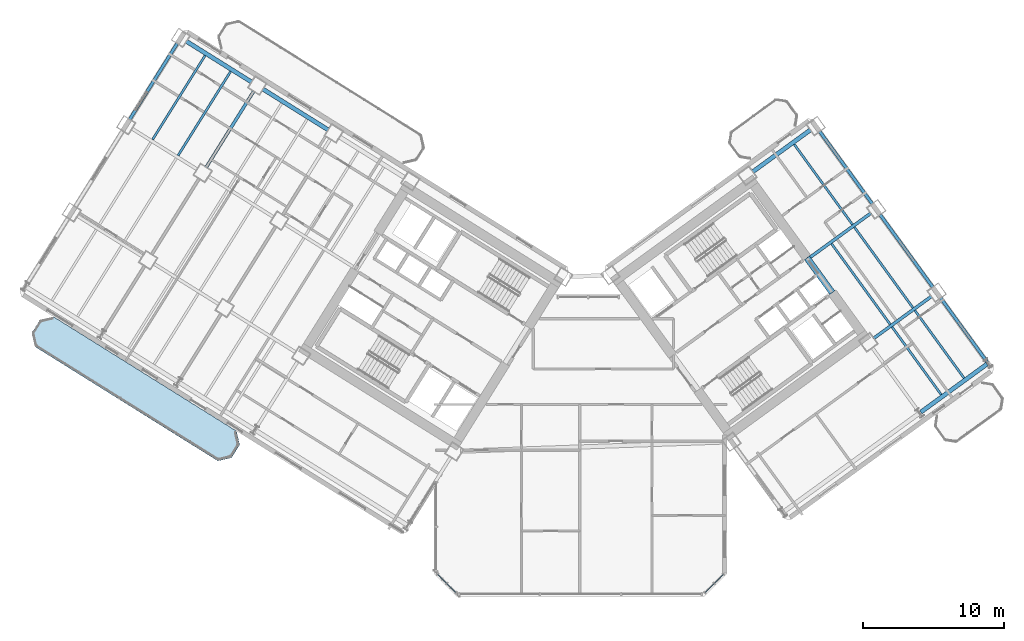
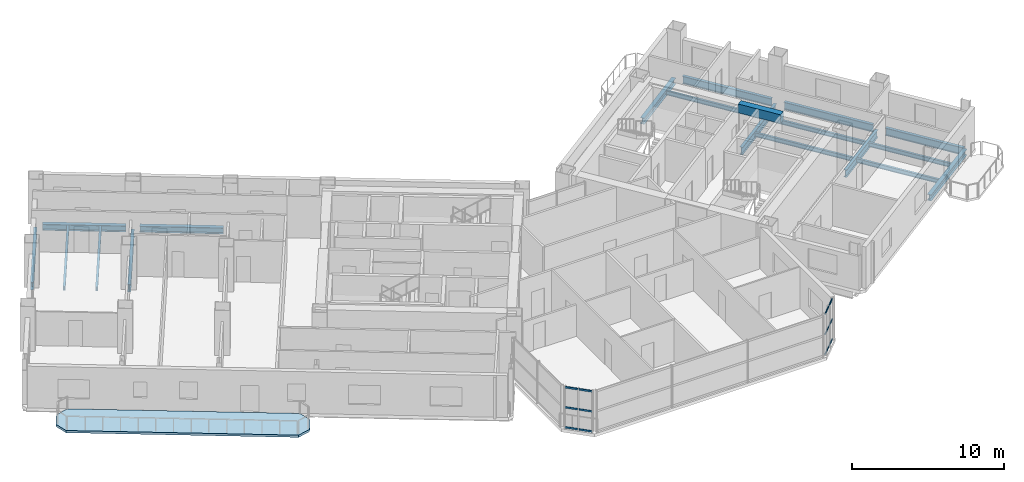
# One storey, part 12 of 24: 19 beams, 12 members, 1 slab, 2 elements without a shape of their own.
"""IFC4 building model written with IfcOpenShell, lengths in metres."""

from ifc_helpers import new_model, si_unit, direction, frame, origin, origin_2d, place, context, subcontext, project, spatial, polyline, rectangle, hollow_rectangle, i_section, outline, extrude, source, transform, mapped, material, layer, layer_set, material_profile, profile_set, type_object, element, aggregate, save


model = new_model("IFC4")

# Units and contexts
model_context = context("Model", 3, precision=1e-05, world=origin(), true_north=direction((0.0, 1.0)))
body_context = subcontext(model_context, "Body", "Model", "MODEL_VIEW")
ifc_project = project(units=[si_unit("LENGTHUNIT", "METRE"), si_unit("AREAUNIT", "SQUARE_METRE"), si_unit("VOLUMEUNIT", "CUBIC_METRE"), si_unit("PLANEANGLEUNIT", "RADIAN"), si_unit("MASSUNIT", "GRAM", prefix="KILO")], contexts=[model_context])

# Site, building, storey
site_placement = place(None, origin())
site = spatial("IfcSite", under=ifc_project, at=site_placement, CompositionType="ELEMENT")
building_placement = place(site_placement, origin())
building = spatial("IfcBuilding", under=site, at=building_placement, Name="Tlacorven Tower", CompositionType="ELEMENT")
storey_placement = place(building_placement, frame((0.0, 0.0, 38.39990234375)))
storey = spatial("IfcBuildingStorey", under=building, at=storey_placement, Name="L09", CompositionType="ELEMENT", Elevation=38.39990234375)

# Beams
ifc_material_1 = material(Name="Concrete C60/75", Category="concrete")
ifc_material_profile_1 = material_profile(ifc_material_1, rectangle(XDim=0.449951171875, YDim=0.699951171875, at=origin_2d()), Name="RC 450X700")
ifc_profile_set_1 = profile_set([ifc_material_profile_1], Name="Concrete C60/75")
beam_type_1 = type_object("IfcBeamType", Name="BM-LNT-700", PredefinedType="LINTEL", material=ifc_profile_set_1)
shared_shape_1 = source(origin(), body_context, "Body", "SweptSolid", [
    extrude(rectangle(XDim=0.449951171875, YDim=0.699951171875, at=origin_2d()), origin(), (0.0, 0.0, 1.0), 3.050048828125),
])
beam_1_placement = place(storey_placement, frame((59.856689453125, 23.345947265625, 3.0), z_axis=(-0.587776590479, 0.80902328748, 0.0), x_axis=(-0.80902328748, -0.587776590479, 0.0)))
element("IfcBeam", 1, at=beam_1_placement, inside=storey, type_object=beam_type_1, Name="L09 E core coupling lintel beam E2", PredefinedType="LINTEL", context=body_context, shape_type="MappedRepresentation", body=[
    mapped(shared_shape_1, transform((0.0, 0.0, 0.0), scale=1.0)),
])
ifc_material_2 = material(Name="Steel S355J2", Category="steel")
ifc_material_profile_2 = material_profile(ifc_material_2, i_section(OverallWidth=0.300048828125, OverallDepth=0.489990234375, WebThickness=0.011962890625, FlangeThickness=0.02294921875, at=origin_2d()), Name="HEA 500")
ifc_profile_set_2 = profile_set([ifc_material_profile_2], Name="Steel S355J2")
beam_type_2 = type_object("IfcBeamType", Name="BM-SPN-500", PredefinedType="SPANDREL", material=ifc_profile_set_2)
shared_shape_2 = source(origin(), body_context, "Body", "SweptSolid", [
    extrude(i_section(OverallWidth=0.300048828125, OverallDepth=0.489990234375, WebThickness=0.011962890625, FlangeThickness=0.02294921875, at=origin_2d()), origin(), (0.0, 0.0, 1.0), 5.5),
])
for number, where, z_axis, x_axis, name in (
    (2, (24.118896484375, 34.88134765625, -0.494873046875), (-0.848050668838, 0.52991514706, 0.0), (-0.52991514706, -0.848050668838, 0.0), "L09 beam BM-L09-WL1-4"),
    (3, (18.69140625, 38.272705078125, -0.494873046875), (-0.848050668838, 0.52991514706, 0.0), (-0.52991514706, -0.848050668838, 0.0), "L09 beam BM-L09-WL1-5"),
):
    element("IfcBeam", number, at=place(storey_placement, frame(where, z_axis=z_axis, x_axis=x_axis)), inside=storey, type_object=beam_type_2, Name=name, PredefinedType="SPANDREL", context=body_context, shape_type="MappedRepresentation", body=[
        mapped(shared_shape_2, transform((0.0, 0.0, 0.0), scale=1.0)),
    ])
ifc_material_profile_3 = material_profile(ifc_material_2, i_section(OverallWidth=0.219970703125, OverallDepth=0.60009765625, WebThickness=0.011962890625, FlangeThickness=0.01904296875, at=origin_2d()), Name="IPE 600")
ifc_profile_set_3 = profile_set([ifc_material_profile_3], Name="Steel S355J2")
beam_type_3 = type_object("IfcBeamType", Name="BM-TWR-600", PredefinedType="BEAM", material=ifc_profile_set_3)
shared_shape_3 = source(origin(), body_context, "Body", "SweptSolid", [
    extrude(i_section(OverallWidth=0.219970703125, OverallDepth=0.60009765625, WebThickness=0.011962890625, FlangeThickness=0.01904296875, at=origin_2d()), origin(), (0.0, 0.0, 1.0), 5.650146484375),
])
beam_2_placement = place(storey_placement, frame((70.853271484375, 18.41845703125, -0.5498046875), z_axis=(-0.587783675561, 0.809018139935, 0.0), x_axis=(-0.809018139935, -0.587783675561, 0.0)))
element("IfcBeam", 4, at=beam_2_placement, inside=storey, type_object=beam_type_3, Name="L09 beam BM-L09-ET4-1", PredefinedType="BEAM", context=body_context, shape_type="MappedRepresentation", body=[
    mapped(shared_shape_3, transform((0.0, 0.0, 0.0), scale=1.0)),
])
shared_shape_4 = source(origin(), body_context, "Body", "SweptSolid", [
    extrude(i_section(OverallWidth=0.219970703125, OverallDepth=0.60009765625, WebThickness=0.011962890625, FlangeThickness=0.01904296875, at=origin_2d()), origin(), (0.0, 0.0, 1.0), 6.39990234375),
])
for number, where, z_axis, x_axis, name in (
    (5, (67.003173828125, 23.717529296875, -0.5498046875), (-0.587772420479, 0.809026317077, 0.0), (-0.809026317077, -0.587772420479, 0.0), "L09 beam BM-L09-ET4-2"),
    (6, (62.71240234375, 29.62353515625, -0.5498046875), (-0.587815528162, 0.808994996803, 0.0), (-0.808994996803, -0.587815528162, 0.0), "L09 beam BM-L09-ET4-3"),
):
    element("IfcBeam", number, at=place(storey_placement, frame(where, z_axis=z_axis, x_axis=x_axis)), inside=storey, type_object=beam_type_3, Name=name, PredefinedType="BEAM", context=body_context, shape_type="MappedRepresentation", body=[
        mapped(shared_shape_4, transform((0.0, 0.0, 0.0), scale=1.0)),
    ])
shared_shape_5 = source(origin(), body_context, "Body", "SweptSolid", [
    extrude(i_section(OverallWidth=0.219970703125, OverallDepth=0.60009765625, WebThickness=0.011962890625, FlangeThickness=0.01904296875, at=origin_2d()), origin(), (0.0, 0.0, 1.0), 6.400146484375),
])
for number, where, z_axis, x_axis, name in (
    (7, (18.83447265625, 37.652587890625, -0.5498046875), (-0.529933789039, -0.848039019877, 0.0), (0.848039019877, -0.529933789039, 0.0), "L09 beam BM-L09-WT5-1"),
    (8, (13.406982421875, 41.044189453125, -0.5498046875), (-0.529933789039, -0.848039019877, 0.0), (0.848039019877, -0.529933789039, 0.0), "L09 beam BM-L09-WT6-1"),
):
    element("IfcBeam", number, at=place(storey_placement, frame(where, z_axis=z_axis, x_axis=x_axis)), inside=storey, type_object=beam_type_3, Name=name, PredefinedType="BEAM", context=body_context, shape_type="MappedRepresentation", body=[
        mapped(shared_shape_5, transform((0.0, 0.0, 0.0), scale=1.0)),
    ])
ifc_material_profile_4 = material_profile(ifc_material_2, i_section(OverallWidth=0.159912109375, OverallDepth=0.330078125, WebThickness=0.007568359375, FlangeThickness=0.011474609375, at=origin_2d()), Name="IPE 330")
ifc_profile_set_4 = profile_set([ifc_material_profile_4], Name="Steel S355J2")
beam_type_4 = type_object("IfcBeamType", Name="BM-JST-330", PredefinedType="JOIST", material=ifc_profile_set_4)
shared_shape_6 = source(origin(), body_context, "Body", "SweptSolid", [
    extrude(i_section(OverallWidth=0.159912109375, OverallDepth=0.330078125, WebThickness=0.007568359375, FlangeThickness=0.011474609375, at=origin_2d()), origin(), (0.0, 0.0, 1.0), 7.030029296875),
])
for number, where, z_axis, x_axis, name in (
    (9, (17.181640625, 39.033447265625, -0.414794921875), (-0.529911532383, -0.848052927504, 0.0), (0.848052927504, -0.529911532383, 0.0), "L09 beam BM-L09-WJ5-1-1"),
    (10, (15.372314453125, 40.163818359375, -0.414794921875), (-0.529927139185, -0.84804317529, 0.0), (0.84804317529, -0.529927139185, 0.0), "L09 beam BM-L09-WJ5-1-2"),
    (11, (61.291259765625, 28.1767578125, -0.414794921875), (-0.587773097846, 0.809025824958, 0.0), (-0.809025824958, -0.587773097846, 0.0), "L09 beam BM-L09-EJ3-3-2"),
):
    element("IfcBeam", number, at=place(storey_placement, frame(where, z_axis=z_axis, x_axis=x_axis)), inside=storey, type_object=beam_type_4, Name=name, PredefinedType="JOIST", context=body_context, shape_type="MappedRepresentation", body=[
        mapped(shared_shape_6, transform((0.0, 0.0, 0.0), scale=1.0)),
    ])
shared_shape_7 = source(origin(), body_context, "Body", "SweptSolid", [
    extrude(i_section(OverallWidth=0.159912109375, OverallDepth=0.330078125, WebThickness=0.007568359375, FlangeThickness=0.011474609375, at=origin_2d()), origin(), (0.0, 0.0, 1.0), 5.93017578125),
])
for number, where, z_axis, x_axis, name in (
    (12, (67.584716796875, 16.11181640625, -0.414794921875), (-0.587777512947, 0.809022617282, 0.0), (-0.809022617282, -0.587777512947, 0.0), "L09 beam BM-L09-EJ3-1-1"),
    (13, (69.202880859375, 17.287353515625, -0.414794921875), (-0.587777512947, 0.809022617282, 0.0), (-0.809022617282, -0.587777512947, 0.0), "L09 beam BM-L09-EJ3-1-2"),
):
    element("IfcBeam", number, at=place(storey_placement, frame(where, z_axis=z_axis, x_axis=x_axis)), inside=storey, type_object=beam_type_4, Name=name, PredefinedType="JOIST", context=body_context, shape_type="MappedRepresentation", body=[
        mapped(shared_shape_7, transform((0.0, 0.0, 0.0), scale=1.0)),
    ])
shared_shape_8 = source(origin(), body_context, "Body", "SweptSolid", [
    extrude(i_section(OverallWidth=0.159912109375, OverallDepth=0.330078125, WebThickness=0.007568359375, FlangeThickness=0.011474609375, at=origin_2d()), origin(), (0.0, 0.0, 1.0), 7.070068359375),
])
beam_3_placement = place(storey_placement, frame((63.964111328125, 21.095458984375, -0.414794921875), z_axis=(-0.587797946309, 0.80900777148, 0.0), x_axis=(-0.80900777148, -0.587797946309, 0.0)))
element("IfcBeam", 14, at=beam_3_placement, inside=storey, type_object=beam_type_4, Name="L09 beam BM-L09-EJ3-2-1", PredefinedType="JOIST", context=body_context, shape_type="MappedRepresentation", body=[
    mapped(shared_shape_8, transform((0.0, 0.0, 0.0), scale=1.0)),
])
shared_shape_9 = source(origin(), body_context, "Body", "SweptSolid", [
    extrude(i_section(OverallWidth=0.159912109375, OverallDepth=0.330078125, WebThickness=0.007568359375, FlangeThickness=0.011474609375, at=origin_2d()), origin(), (0.0, 0.0, 1.0), 7.06982421875),
])
beam_4_placement = place(storey_placement, frame((65.58203125, 22.27099609375, -0.414794921875), z_axis=(-0.58777534487, 0.809024192446, 0.0), x_axis=(-0.809024192446, -0.58777534487, 0.0)))
element("IfcBeam", 15, at=beam_4_placement, inside=storey, type_object=beam_type_4, Name="L09 beam BM-L09-EJ3-2-2", PredefinedType="JOIST", context=body_context, shape_type="MappedRepresentation", body=[
    mapped(shared_shape_9, transform((0.0, 0.0, 0.0), scale=1.0)),
])
shared_shape_10 = source(origin(), body_context, "Body", "SweptSolid", [
    extrude(i_section(OverallWidth=0.300048828125, OverallDepth=0.489990234375, WebThickness=0.011962890625, FlangeThickness=0.02294921875, at=origin_2d()), origin(), (0.0, 0.0, 1.0), 5.800048828125),
])
beam_5_placement = place(storey_placement, frame((66.138671875, 14.86962890625, -0.494873046875), z_axis=(0.809019944521, 0.587781191743, 0.0), x_axis=(-0.587781191743, 0.809019944521, 0.0)))
element("IfcBeam", 16, at=beam_5_placement, inside=storey, type_object=beam_type_2, Name="L09 beam BM-L09-EL1-3", PredefinedType="SPANDREL", context=body_context, shape_type="MappedRepresentation", body=[
    mapped(shared_shape_10, transform((0.0, 0.0, 0.0), scale=1.0)),
])
shared_shape_11 = source(origin(), body_context, "Body", "SweptSolid", [
    extrude(i_section(OverallWidth=0.219970703125, OverallDepth=0.60009765625, WebThickness=0.011962890625, FlangeThickness=0.01904296875, at=origin_2d()), origin(), (0.0, 0.0, 1.0), 5.10009765625),
])
beam_6_placement = place(storey_placement, frame((62.777587890625, 20.09130859375, -0.5498046875), z_axis=(0.809007176828, 0.58779876475, 0.0), x_axis=(-0.58779876475, 0.809007176828, 0.0)))
element("IfcBeam", 17, at=beam_6_placement, inside=storey, type_object=beam_type_3, Name="L09 beam BM-L09-EL2-3", PredefinedType="BEAM", context=body_context, shape_type="MappedRepresentation", body=[
    mapped(shared_shape_11, transform((0.0, 0.0, 0.0), scale=1.0)),
])
shared_shape_12 = source(origin(), body_context, "Body", "SweptSolid", [
    extrude(i_section(OverallWidth=0.219970703125, OverallDepth=0.60009765625, WebThickness=0.011962890625, FlangeThickness=0.01904296875, at=origin_2d()), origin(), (0.0, 0.0, 1.0), 5.510009765625),
])
beam_7_placement = place(storey_placement, frame((58.155029296875, 25.756103515625, -0.5498046875), z_axis=(0.809015730594, 0.587786991734, 0.0), x_axis=(-0.587786991734, 0.809015730594, 0.0)))
element("IfcBeam", 18, at=beam_7_placement, inside=storey, type_object=beam_type_3, Name="L09 beam BM-L09-EL3-3", PredefinedType="BEAM", context=body_context, shape_type="MappedRepresentation", body=[
    mapped(shared_shape_12, transform((0.0, 0.0, 0.0), scale=1.0)),
])
shared_shape_13 = source(origin(), body_context, "Body", "SweptSolid", [
    extrude(i_section(OverallWidth=0.300048828125, OverallDepth=0.489990234375, WebThickness=0.011962890625, FlangeThickness=0.02294921875, at=origin_2d()), origin(), (0.0, 0.0, 1.0), 5.099853515625),
])
beam_8_placement = place(storey_placement, frame((54.196044921875, 31.903076171875, -0.494873046875), z_axis=(0.809029940764, 0.587767432704, 0.0), x_axis=(-0.587767432704, 0.809029940764, 0.0)))
element("IfcBeam", 19, at=beam_8_placement, inside=storey, type_object=beam_type_2, Name="L09 beam BM-L09-EL4-3", PredefinedType="SPANDREL", context=body_context, shape_type="MappedRepresentation", body=[
    mapped(shared_shape_13, transform((0.0, 0.0, 0.0), scale=1.0)),
])

# Curtain wall, members
ifc_material_3 = material(Name="Dark solar low-E double glazing in aluminium frame", Category="aluminium")
curtain_wall_type = type_object("IfcCurtainWallType", Name="CW-TWR-LOW", PredefinedType="USERDEFINED", material=ifc_material_3)
curtain_wall_1_placement = place(storey_placement, origin())
curtain_wall_1 = element("IfcCurtainWall", 20, at=curtain_wall_1_placement, inside=storey, type_object=curtain_wall_type, Name="L09 CW-TWR-LOW Curtain Wall 45", ObjectType="UNITISED CURTAIN WALL", PredefinedType="USERDEFINED")
ifc_material_4 = material(Name="Aluminium 6063-T6 anodised", Category="aluminium")
ifc_material_profile_5 = material_profile(ifc_material_4, hollow_rectangle(XDim=0.06005859375, YDim=0.139892578125, WallThickness=0.00390625, at=origin_2d()), Name="ALU TRANSOM 60X140")
ifc_profile_set_5 = profile_set([ifc_material_profile_5], Name="Aluminium 6063-T6 anodised")
member_type = type_object("IfcMemberType", Name="CWT-02", PredefinedType="USERDEFINED", material=ifc_profile_set_5)
shared_shape_14 = source(origin(), body_context, "Body", "SweptSolid", [
    extrude(hollow_rectangle(XDim=0.06005859375, YDim=0.139892578125, WallThickness=0.00390625, at=origin_2d()), origin(), (0.0, 0.0, 1.0), 0.8837890625),
])
member_1_placement = place(storey_placement, frame((52.128173828125, 3.3544921875, 0.070068359375), z_axis=(-0.707106781187, -0.707106781187, 0.0), x_axis=(0.707106781187, -0.707106781187, 0.0)))
member_1 = element("IfcMember", 21, at=member_1_placement, type_object=member_type, Name="CW-L09-045 Transom 1", ObjectType="TRANSOM", PredefinedType="USERDEFINED", context=body_context, shape_type="MappedRepresentation", body=[
    mapped(shared_shape_14, transform((0.0, 0.0, 0.0), scale=1.0)),
])
member_2_placement = place(storey_placement, frame((52.128173828125, 3.3544921875, 1.675048828125), z_axis=(-0.707106781187, -0.707106781187, 0.0), x_axis=(0.707106781187, -0.707106781187, 0.0)))
member_2 = element("IfcMember", 22, at=member_2_placement, type_object=member_type, Name="CW-L09-045 Transom 2", ObjectType="TRANSOM", PredefinedType="USERDEFINED", context=body_context, shape_type="MappedRepresentation", body=[
    mapped(shared_shape_14, transform((0.0, 0.0, 0.0), scale=1.0)),
])
member_3_placement = place(storey_placement, frame((52.128173828125, 3.3544921875, 3.280029296875), z_axis=(-0.707106781187, -0.707106781187, 0.0), x_axis=(0.707106781187, -0.707106781187, 0.0)))
member_3 = element("IfcMember", 23, at=member_3_placement, type_object=member_type, Name="CW-L09-045 Transom 3", ObjectType="TRANSOM", PredefinedType="USERDEFINED", context=body_context, shape_type="MappedRepresentation", body=[
    mapped(shared_shape_14, transform((0.0, 0.0, 0.0), scale=1.0)),
])

curtain_wall_2_placement = place(storey_placement, origin())
curtain_wall_2 = element("IfcCurtainWall", 24, at=curtain_wall_2_placement, inside=storey, type_object=curtain_wall_type, Name="L09 CW-TWR-LOW Curtain Wall 47", ObjectType="UNITISED CURTAIN WALL", PredefinedType="USERDEFINED")
member_4_placement = place(storey_placement, frame((32.496826171875, 2.7294921875, 0.070068359375), z_axis=(-0.707106781187, 0.707106781187, 0.0), x_axis=(-0.707106781187, -0.707106781187, 0.0)))
member_4 = element("IfcMember", 25, at=member_4_placement, type_object=member_type, Name="CW-L09-047 Transom 4", ObjectType="TRANSOM", PredefinedType="USERDEFINED", context=body_context, shape_type="MappedRepresentation", body=[
    mapped(shared_shape_14, transform((0.0, 0.0, 0.0), scale=1.0)),
])
member_5_placement = place(storey_placement, frame((32.496826171875, 2.7294921875, 1.675048828125), z_axis=(-0.707106781187, 0.707106781187, 0.0), x_axis=(-0.707106781187, -0.707106781187, 0.0)))
member_5 = element("IfcMember", 26, at=member_5_placement, type_object=member_type, Name="CW-L09-047 Transom 5", ObjectType="TRANSOM", PredefinedType="USERDEFINED", context=body_context, shape_type="MappedRepresentation", body=[
    mapped(shared_shape_14, transform((0.0, 0.0, 0.0), scale=1.0)),
])
member_6_placement = place(storey_placement, frame((32.496826171875, 2.7294921875, 3.280029296875), z_axis=(-0.707106781187, 0.707106781187, 0.0), x_axis=(-0.707106781187, -0.707106781187, 0.0)))
member_6 = element("IfcMember", 27, at=member_6_placement, type_object=member_type, Name="CW-L09-047 Transom 6", ObjectType="TRANSOM", PredefinedType="USERDEFINED", context=body_context, shape_type="MappedRepresentation", body=[
    mapped(shared_shape_14, transform((0.0, 0.0, 0.0), scale=1.0)),
])

# Member
shared_shape_15 = source(origin(), body_context, "Body", "SweptSolid", [
    extrude(hollow_rectangle(XDim=0.06005859375, YDim=0.139892578125, WallThickness=0.00390625, at=origin_2d()), origin(), (0.0, 0.0, 1.0), 0.884033203125),
])
member_7_placement = place(storey_placement, frame((51.470703125, 2.69677734375, 0.070068359375), z_axis=(-0.707244847527, -0.706968687883, 0.0), x_axis=(0.706968687883, -0.707244847527, 0.0)))
member_7 = element("IfcMember", 28, at=member_7_placement, type_object=member_type, Name="CW-L09-045 Transom 4", ObjectType="TRANSOM", PredefinedType="USERDEFINED", context=body_context, shape_type="MappedRepresentation", body=[
    mapped(shared_shape_15, transform((0.0, 0.0, 0.0), scale=1.0)),
])

member_8_placement = place(storey_placement, frame((51.470703125, 2.69677734375, 1.675048828125), z_axis=(-0.707244847527, -0.706968687883, 0.0), x_axis=(0.706968687883, -0.707244847527, 0.0)))
member_8 = element("IfcMember", 29, at=member_8_placement, type_object=member_type, Name="CW-L09-045 Transom 5", ObjectType="TRANSOM", PredefinedType="USERDEFINED", context=body_context, shape_type="MappedRepresentation", body=[
    mapped(shared_shape_15, transform((0.0, 0.0, 0.0), scale=1.0)),
])

member_9_placement = place(storey_placement, frame((51.470703125, 2.69677734375, 3.280029296875), z_axis=(-0.707244847527, -0.706968687883, 0.0), x_axis=(0.706968687883, -0.707244847527, 0.0)))
member_9 = element("IfcMember", 30, at=member_9_placement, type_object=member_type, Name="CW-L09-045 Transom 6", ObjectType="TRANSOM", PredefinedType="USERDEFINED", context=body_context, shape_type="MappedRepresentation", body=[
    mapped(shared_shape_15, transform((0.0, 0.0, 0.0), scale=1.0)),
])

aggregate(curtain_wall_1, [member_1, member_2, member_3, member_7, member_8, member_9])

member_10_placement = place(storey_placement, frame((33.154541015625, 2.07177734375, 0.070068359375), z_axis=(-0.707244847527, 0.706968687883, 0.0), x_axis=(-0.706968687883, -0.707244847527, 0.0)))
member_10 = element("IfcMember", 31, at=member_10_placement, type_object=member_type, Name="CW-L09-047 Transom 1", ObjectType="TRANSOM", PredefinedType="USERDEFINED", context=body_context, shape_type="MappedRepresentation", body=[
    mapped(shared_shape_15, transform((0.0, 0.0, 0.0), scale=1.0)),
])

member_11_placement = place(storey_placement, frame((33.154541015625, 2.07177734375, 1.675048828125), z_axis=(-0.707244847527, 0.706968687883, 0.0), x_axis=(-0.706968687883, -0.707244847527, 0.0)))
member_11 = element("IfcMember", 32, at=member_11_placement, type_object=member_type, Name="CW-L09-047 Transom 2", ObjectType="TRANSOM", PredefinedType="USERDEFINED", context=body_context, shape_type="MappedRepresentation", body=[
    mapped(shared_shape_15, transform((0.0, 0.0, 0.0), scale=1.0)),
])

member_12_placement = place(storey_placement, frame((33.154541015625, 2.07177734375, 3.280029296875), z_axis=(-0.707244847527, 0.706968687883, 0.0), x_axis=(-0.706968687883, -0.707244847527, 0.0)))
member_12 = element("IfcMember", 33, at=member_12_placement, type_object=member_type, Name="CW-L09-047 Transom 3", ObjectType="TRANSOM", PredefinedType="USERDEFINED", context=body_context, shape_type="MappedRepresentation", body=[
    mapped(shared_shape_15, transform((0.0, 0.0, 0.0), scale=1.0)),
])

aggregate(curtain_wall_2, [member_10, member_11, member_12, member_4, member_5, member_6])

# Slab
ifc_material_5 = material(Name="Precast concrete C45/55", Category="concrete")
ifc_layer = layer(ifc_material_5, 0.179931640625)
ifc_layer_set = layer_set([ifc_layer], Name="Precast concrete C45/55")
slab_type = type_object("IfcSlabType", Name="SL-BAL-180", PredefinedType="USERDEFINED", material=ifc_layer_set)
slab_placement = place(storey_placement, frame((0.0, 0.0, -0.179931640625)))
element("IfcSlab", 34, at=slab_placement, inside=storey, type_object=slab_type, Name="L09 West Wing Balcony Ribbon OUT", ObjectType="BALCONY SLAB", PredefinedType="USERDEFINED", context=body_context, shape_type="SweptSolid", body=[
    extrude(outline(polyline([(17.601318359375, 13.52490234375), (4.626220703125, 21.632568359375), (3.66162109375, 21.409912109375), (3.081298828125, 20.4814453125), (3.303955078125, 19.516845703125), (16.279052734375, 11.408935546875), (17.24365234375, 11.6318359375), (17.823974609375, 12.560302734375), (17.601318359375, 13.52490234375)])), origin(), (0.0, 0.0, 1.0), 0.179931640625),
])

save(model, "model.ifc")
